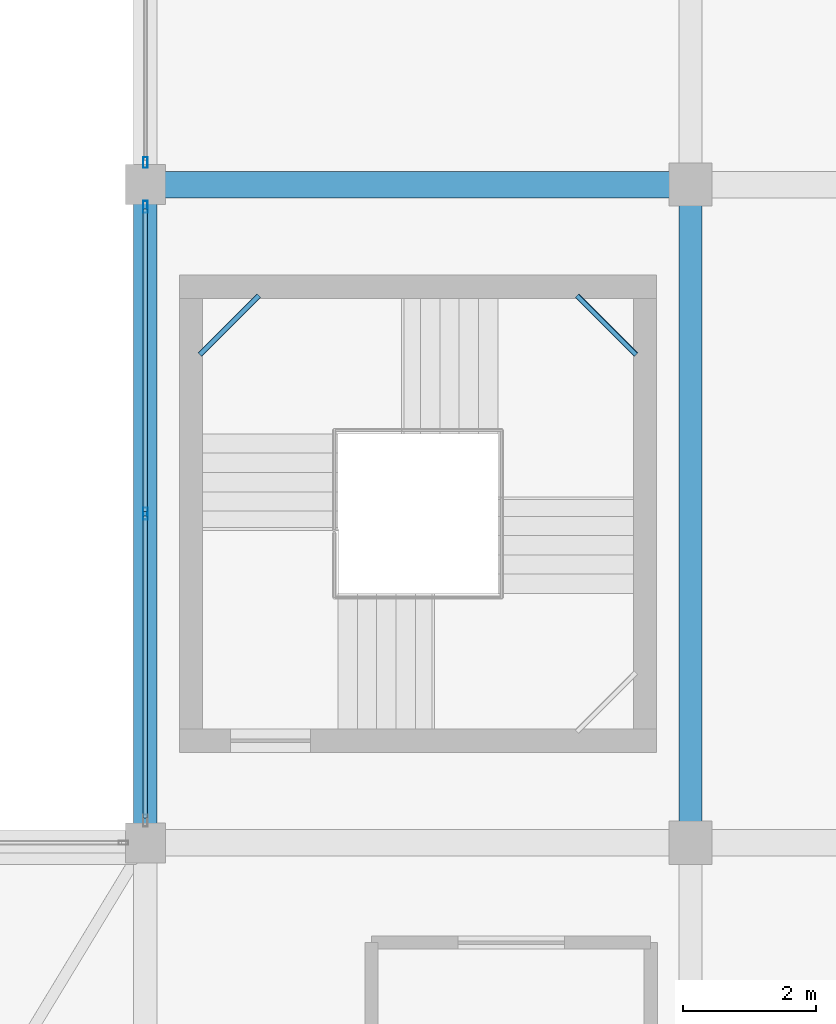
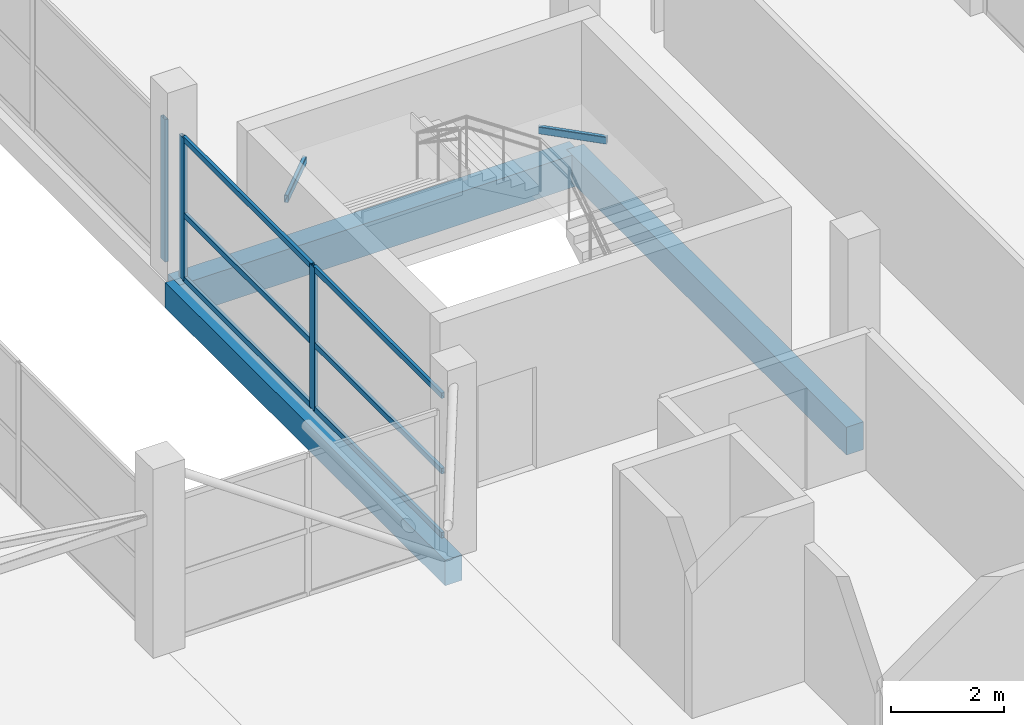
# One storey, part 36 of 70: 9 members, 5 beams, 2 elements without a shape of their own.
"""IFC4 building model written with IfcOpenShell, lengths in metres."""

from ifc_helpers import new_model, si_unit, direction, frame, origin, origin_2d, place, context, subcontext, project, spatial, rectangle, hollow_rectangle, extrude, material, layer, layer_set, material_profile, profile_set, type_object, element, aggregate, save


model = new_model("IFC4")

# Units and contexts
model_context = context("Model", 3, precision=1e-05, world=origin(), true_north=direction((0.0, 1.0)))
body_context = subcontext(model_context, "Body", "Model", "MODEL_VIEW")
ifc_project = project(units=[si_unit("LENGTHUNIT", "METRE"), si_unit("AREAUNIT", "SQUARE_METRE"), si_unit("VOLUMEUNIT", "CUBIC_METRE"), si_unit("PLANEANGLEUNIT", "RADIAN"), si_unit("MASSUNIT", "GRAM", prefix="KILO")], contexts=[model_context])

# Site, building, storey
site_placement = place(None, origin())
site = spatial("IfcSite", under=ifc_project, at=site_placement, CompositionType="ELEMENT")
building_placement = place(site_placement, origin())
building = spatial("IfcBuilding", under=site, at=building_placement, Name="Sillaruma Civic Art Gallery", CompositionType="ELEMENT")
storey_placement = place(building_placement, frame((0.0, 0.0, 66.300048828125)))
storey = spatial("IfcBuildingStorey", under=building, at=storey_placement, Name="L13", CompositionType="ELEMENT", Elevation=66.300048828125)

# Beams
ifc_material_1 = material(Name="Concrete H35 (35 MPa)", Category="concrete")
ifc_material_profile_1 = material_profile(ifc_material_1, rectangle(XDim=0.35009765625, YDim=0.60009765625, at=origin_2d()), Name="RCB350x600")
ifc_profile_set_1 = profile_set([ifc_material_profile_1], Name="Concrete H35 (35 MPa)")
beam_type_1 = type_object("IfcBeamType", Name="BM-BEAM-RCB350x600", PredefinedType="BEAM", material=ifc_profile_set_1)
beam_1_placement = place(storey_placement, frame((106.199951171875, 49.5, -0.530029296875), z_axis=(0.0, 1.0, 0.0), x_axis=(-1.0, 0.0, 0.0)))
element("IfcBeam", 1, at=beam_1_placement, inside=storey, type_object=beam_type_1, Name="Beam BM-06 (L12:M:6-7)", PredefinedType="BEAM", context=body_context, shape_type="SweptSolid", body=[
    extrude(rectangle(XDim=0.35009765625, YDim=0.60009765625, at=origin_2d()), origin(), (0.0, 0.0, 1.0), 9.89990234375),
])
ifc_material_profile_2 = material_profile(ifc_material_1, rectangle(XDim=0.39990234375, YDim=0.699951171875, at=origin_2d()), Name="RCB400x700")
ifc_profile_set_2 = profile_set([ifc_material_profile_2], Name="Concrete H35 (35 MPa)")
beam_type_2 = type_object("IfcBeamType", Name="BM-BEAM-RCB400x700", PredefinedType="BEAM", material=ifc_profile_set_2)
beam_2_placement = place(storey_placement, frame((98.0, 59.39990234375, -0.580078125), z_axis=(1.0, 0.0, 0.0), x_axis=(0.0, 1.0, 0.0)))
element("IfcBeam", 2, at=beam_2_placement, inside=storey, type_object=beam_type_2, Name="Beam BM-04 (L12:7:L-M)", PredefinedType="BEAM", context=body_context, shape_type="SweptSolid", body=[
    extrude(rectangle(XDim=0.39990234375, YDim=0.699951171875, at=origin_2d()), origin(), (0.0, 0.0, 1.0), 8.199951171875),
])
ifc_material_2 = material(Name="Structural Steel ASTM A500 Gr.C", Category="steel")
ifc_material_profile_3 = material_profile(ifc_material_2, hollow_rectangle(XDim=0.080078125, YDim=0.159912109375, WallThickness=0.008056640625, InnerFilletRadius=0.008056640625, OuterFilletRadius=0.01611328125, at=origin_2d()), Name="HSS160x80x8")
ifc_profile_set_3 = profile_set([ifc_material_profile_3], Name="Structural Steel ASTM A500 Gr.C")
beam_type_3 = type_object("IfcBeamType", Name="BM-LND-HSS160", PredefinedType="BEAM", material=ifc_profile_set_3)
for number, where, z_axis, x_axis, name in (
    (3, (104.489990234375, 57.72998046875, 1.760009765625), (0.707106781187, -0.707106781187, 0.0), (0.707106781187, 0.707106781187, 0.0), "Stair Corner Landing Trimmer Beam (ST-04-L13-2)"),
    (4, (98.820068359375, 56.840087890625, 2.780029296875), (0.707106781187, 0.707106781187, 0.0), (-0.707106781187, 0.707106781187, 0.0), "Stair Corner Landing Trimmer Beam (ST-04-L13-3)"),
):
    element("IfcBeam", number, at=place(storey_placement, frame(where, z_axis=z_axis, x_axis=x_axis)), inside=storey, type_object=beam_type_3, Name=name, PredefinedType="BEAM", context=body_context, shape_type="SweptSolid", body=[
        extrude(hollow_rectangle(XDim=0.080078125, YDim=0.159912109375, WallThickness=0.008056640625, InnerFilletRadius=0.008056640625, OuterFilletRadius=0.01611328125, at=origin_2d()), origin(), (0.0, 0.0, 1.0), 1.258544921875),
    ])
ifc_material_profile_4 = material_profile(ifc_material_1, rectangle(XDim=0.35009765625, YDim=0.550048828125, at=origin_2d()), Name="RCB350x550")
ifc_profile_set_4 = profile_set([ifc_material_profile_4], Name="Concrete H35 (35 MPa)")
beam_type_4 = type_object("IfcBeamType", Name="BM-SPANDREL-RCB350x550", PredefinedType="SPANDREL", material=ifc_profile_set_4)
beam_3_placement = place(storey_placement, frame((98.0, 49.5, -0.505126953125), z_axis=(0.0, 1.0, 0.0), x_axis=(-1.0, 0.0, 0.0)))
element("IfcBeam", 5, at=beam_3_placement, inside=storey, type_object=beam_type_4, Name="Beam BS-04 (L12:L:6-7)", PredefinedType="SPANDREL", context=body_context, shape_type="SweptSolid", body=[
    extrude(rectangle(XDim=0.35009765625, YDim=0.550048828125, at=origin_2d()), origin(), (0.0, 0.0, 1.0), 9.89990234375),
])

# Curtain wall, member
ifc_material_3 = material(Name="Thermally Broken Extruded Aluminium 6063-T6", Category="aluminium")
ifc_layer_1 = layer(ifc_material_3, 0.159912109375, Name="Thermally Broken Extruded Aluminium 6063-T6")
ifc_layer_set_1 = layer_set([ifc_layer_1], Name="Thermally Broken Extruded Aluminium 6063-T6")
curtain_wall_type_1 = type_object("IfcCurtainWallType", Name="CW-UNI-97", PredefinedType="NOTDEFINED", material=ifc_layer_set_1)
curtain_wall_1_placement = place(storey_placement, origin())
curtain_wall_1 = element("IfcCurtainWall", 6, at=curtain_wall_1_placement, inside=storey, type_object=curtain_wall_type_1, Name="Unitised Curtain Wall CW-97 (CW-L13-EBW-5)", PredefinedType="NOTDEFINED")
ifc_material_profile_5 = material_profile(ifc_material_3, hollow_rectangle(XDim=0.06494140625, YDim=0.159912109375, WallThickness=0.00390625, at=origin_2d()), Name="CWM65x160")
ifc_profile_set_5 = profile_set([ifc_material_profile_5], Name="Thermally Broken Extruded Aluminium 6063-T6")
member_type_1 = type_object("IfcMemberType", Name="MEM-MUL-CWM65x160", PredefinedType="MULLION", material=ifc_profile_set_5)
member_1_placement = place(storey_placement, frame((98.0, 59.732421875, 0.0), z_axis=(0.0, 0.0, 1.0), x_axis=(-1.0, 0.0, 0.0)))
member_1 = element("IfcMember", 7, at=member_1_placement, type_object=member_type_1, Name="CW-97 mullion 1", PredefinedType="MULLION", context=body_context, shape_type="SweptSolid", body=[
    extrude(hollow_rectangle(XDim=0.06494140625, YDim=0.159912109375, WallThickness=0.00390625, at=origin_2d()), origin(), (0.0, 0.0, 1.0), 3.079833984375),
])
aggregate(curtain_wall_1, [member_1])

# Curtain wall, members
ifc_layer_2 = layer(ifc_material_3, 0.179931640625, Name="Thermally Broken Extruded Aluminium 6063-T6")
ifc_layer_set_2 = layer_set([ifc_layer_2], Name="Thermally Broken Extruded Aluminium 6063-T6")
curtain_wall_type_2 = type_object("IfcCurtainWallType", Name="CW-UNI-100", PredefinedType="NOTDEFINED", material=ifc_layer_set_2)
curtain_wall_2_placement = place(storey_placement, origin())
curtain_wall_2 = element("IfcCurtainWall", 8, at=curtain_wall_2_placement, inside=storey, type_object=curtain_wall_type_2, Name="Unitised Curtain Wall CW-100 (CW-L13-EBW-4)", PredefinedType="NOTDEFINED")
ifc_material_profile_6 = material_profile(ifc_material_3, hollow_rectangle(XDim=0.070068359375, YDim=0.179931640625, WallThickness=0.00390625, at=origin_2d()), Name="CWM70x180")
ifc_profile_set_6 = profile_set([ifc_material_profile_6], Name="Thermally Broken Extruded Aluminium 6063-T6")
member_type_2 = type_object("IfcMemberType", Name="MEM-MUL-CWM70x180", PredefinedType="MULLION", material=ifc_profile_set_6)
member_2_placement = place(storey_placement, frame((98.0, 54.449951171875, 0.0), z_axis=(0.0, 0.0, 1.0), x_axis=(-1.0, 0.0, 0.0)))
member_2 = element("IfcMember", 9, at=member_2_placement, type_object=member_type_2, Name="CW-100 mullion 2", PredefinedType="MULLION", context=body_context, shape_type="SweptSolid", body=[
    extrude(hollow_rectangle(XDim=0.070068359375, YDim=0.179931640625, WallThickness=0.00390625, at=origin_2d()), origin(), (0.0, 0.0, 1.0), 3.079833984375),
])
member_3_placement = place(storey_placement, frame((98.0, 59.06494140625, 0.0), z_axis=(0.0, 0.0, 1.0), x_axis=(-1.0, 0.0, 0.0)))
member_3 = element("IfcMember", 10, at=member_3_placement, type_object=member_type_2, Name="CW-100 mullion 3", PredefinedType="MULLION", context=body_context, shape_type="SweptSolid", body=[
    extrude(hollow_rectangle(XDim=0.070068359375, YDim=0.179931640625, WallThickness=0.00390625, at=origin_2d()), origin(), (0.0, 0.0, 1.0), 3.079833984375),
])
ifc_material_profile_7 = material_profile(ifc_material_3, hollow_rectangle(XDim=0.06494140625, YDim=0.1201171875, WallThickness=0.00341796875, at=origin_2d()), Name="CWT65x120")
ifc_profile_set_7 = profile_set([ifc_material_profile_7], Name="Thermally Broken Extruded Aluminium 6063-T6")
member_type_3 = type_object("IfcMemberType", Name="MEM-TRN-CWT65x120", PredefinedType="USERDEFINED", material=ifc_profile_set_7)
member_4_placement = place(storey_placement, frame((98.0, 49.8701171875, 0.032470703125), z_axis=(0.0, 1.0, 0.0), x_axis=(-1.0, 0.0, 0.0)))
member_4 = element("IfcMember", 11, at=member_4_placement, type_object=member_type_3, Name="CW-100 transom 1.1", ObjectType="TRANSOM", PredefinedType="USERDEFINED", context=body_context, shape_type="SweptSolid", body=[
    extrude(hollow_rectangle(XDim=0.06494140625, YDim=0.1201171875, WallThickness=0.00341796875, at=origin_2d()), origin(), (0.0, 0.0, 1.0), 4.544921875),
])
member_5_placement = place(storey_placement, frame((98.0, 49.8701171875, 1.416748046875), z_axis=(0.0, 1.0, 0.0), x_axis=(-1.0, 0.0, 0.0)))
member_5 = element("IfcMember", 12, at=member_5_placement, type_object=member_type_3, Name="CW-100 transom 1.2", ObjectType="TRANSOM", PredefinedType="USERDEFINED", context=body_context, shape_type="SweptSolid", body=[
    extrude(hollow_rectangle(XDim=0.06494140625, YDim=0.1201171875, WallThickness=0.00341796875, at=origin_2d()), origin(), (0.0, 0.0, 1.0), 4.544921875),
])
member_6_placement = place(storey_placement, frame((98.0, 49.8701171875, 3.04736328125), z_axis=(0.0, 1.0, 0.0), x_axis=(-1.0, 0.0, 0.0)))
member_6 = element("IfcMember", 13, at=member_6_placement, type_object=member_type_3, Name="CW-100 transom 1.3", ObjectType="TRANSOM", PredefinedType="USERDEFINED", context=body_context, shape_type="SweptSolid", body=[
    extrude(hollow_rectangle(XDim=0.06494140625, YDim=0.1201171875, WallThickness=0.00341796875, at=origin_2d()), origin(), (0.0, 0.0, 1.0), 4.544921875),
])
member_7_placement = place(storey_placement, frame((98.0, 54.485107421875, 0.032470703125), z_axis=(0.0, 1.0, 0.0), x_axis=(-1.0, 0.0, 0.0)))
member_7 = element("IfcMember", 14, at=member_7_placement, type_object=member_type_3, Name="CW-100 transom 2.1", ObjectType="TRANSOM", PredefinedType="USERDEFINED", context=body_context, shape_type="SweptSolid", body=[
    extrude(hollow_rectangle(XDim=0.06494140625, YDim=0.1201171875, WallThickness=0.00341796875, at=origin_2d()), origin(), (0.0, 0.0, 1.0), 4.544921875),
])
member_8_placement = place(storey_placement, frame((98.0, 54.485107421875, 1.416748046875), z_axis=(0.0, 1.0, 0.0), x_axis=(-1.0, 0.0, 0.0)))
member_8 = element("IfcMember", 15, at=member_8_placement, type_object=member_type_3, Name="CW-100 transom 2.2", ObjectType="TRANSOM", PredefinedType="USERDEFINED", context=body_context, shape_type="SweptSolid", body=[
    extrude(hollow_rectangle(XDim=0.06494140625, YDim=0.1201171875, WallThickness=0.00341796875, at=origin_2d()), origin(), (0.0, 0.0, 1.0), 4.544921875),
])
member_9_placement = place(storey_placement, frame((98.0, 54.485107421875, 3.04736328125), z_axis=(0.0, 1.0, 0.0), x_axis=(-1.0, 0.0, 0.0)))
member_9 = element("IfcMember", 16, at=member_9_placement, type_object=member_type_3, Name="CW-100 transom 2.3", ObjectType="TRANSOM", PredefinedType="USERDEFINED", context=body_context, shape_type="SweptSolid", body=[
    extrude(hollow_rectangle(XDim=0.06494140625, YDim=0.1201171875, WallThickness=0.00341796875, at=origin_2d()), origin(), (0.0, 0.0, 1.0), 4.544921875),
])
aggregate(curtain_wall_2, [member_2, member_3, member_4, member_5, member_6, member_7, member_8, member_9])

save(model, "model.ifc")
